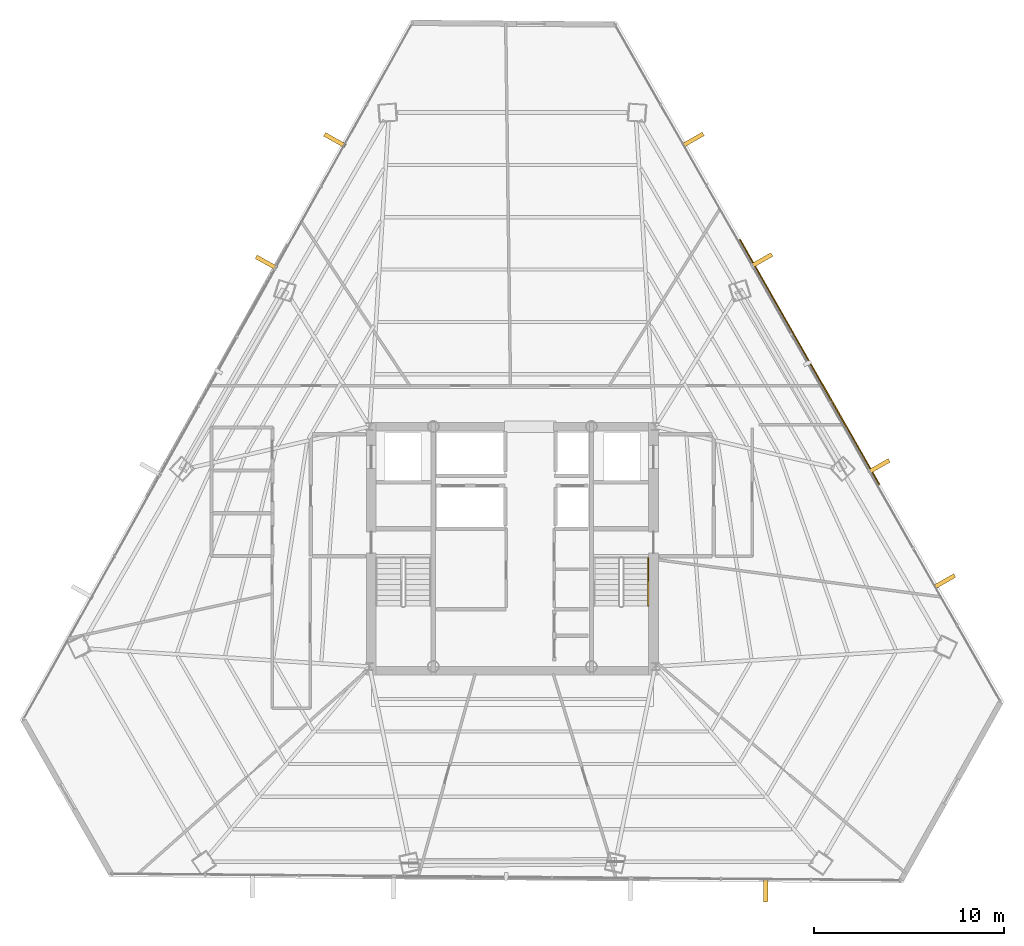
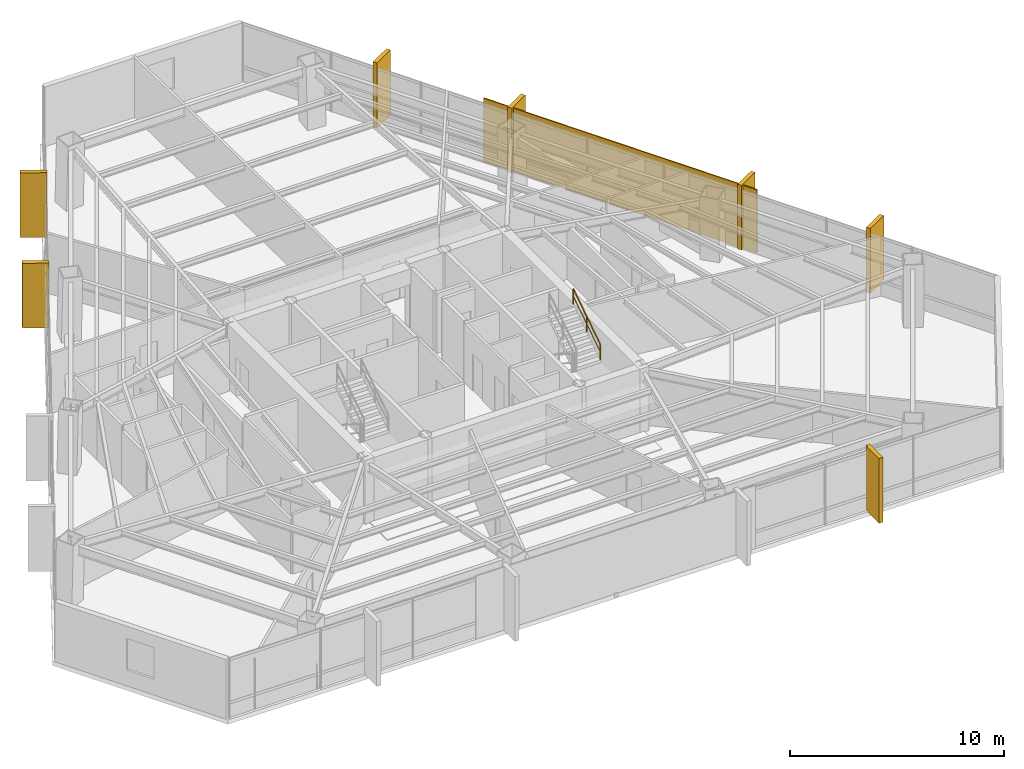
# One storey, part 39 of 39: 7 coverings, 1 railing, 1 shading device.
"""IFC4 building model written with IfcOpenShell, lengths in metres."""

from ifc_helpers import new_model, si_unit, direction, frame, origin, origin_2d, place, context, subcontext, project, spatial, rectangle, extrude, source, transform, mapped, material, layer, layer_set, type_object, type_shapes, element, save


model = new_model("IFC4")

# Units and contexts
model_context = context("Model", 3, precision=1e-05, world=origin(), true_north=direction((0.0, 1.0)))
body_context = subcontext(model_context, "Body", "Model", "MODEL_VIEW")
ifc_project = project(units=[si_unit("LENGTHUNIT", "METRE"), si_unit("AREAUNIT", "SQUARE_METRE"), si_unit("VOLUMEUNIT", "CUBIC_METRE"), si_unit("PLANEANGLEUNIT", "RADIAN"), si_unit("MASSUNIT", "GRAM", prefix="KILO")], contexts=[model_context])

# Site, building, storey
site_placement = place(None, origin())
site = spatial("IfcSite", under=ifc_project, at=site_placement, CompositionType="ELEMENT")
building_placement = place(site_placement, origin())
building = spatial("IfcBuilding", under=site, at=building_placement, Name="Caelisora Broadcast Tower", CompositionType="ELEMENT")
storey_placement = place(building_placement, frame((0.0, 0.0, 142.75)))
storey = spatial("IfcBuildingStorey", under=building, at=storey_placement, Name="L37", CompositionType="ELEMENT", Elevation=142.75)

# Railing
ifc_material_1 = material(Name="Stainless Steel Grade 316 Tubular Handrail", Category="steel")
ifc_layer_1 = layer(ifc_material_1, 0.048095703125, Name="Stainless Steel Grade 316 Tubular Handrail")
ifc_layer_set_1 = layer_set([ifc_layer_1], Name="Stainless Steel Grade 316 Tubular Handrail")
railing_type = type_object("IfcRailingType", Name="HR-1", PredefinedType="HANDRAIL", material=ifc_layer_set_1)
railing_placement = place(storey_placement, frame((45.1298828125, 20.580078125, 2.007568359375)))
element("IfcRailing", 1, at=railing_placement, inside=storey, type_object=railing_type, Name="L37 ST-2 stair handrail 2", PredefinedType="HANDRAIL", context=body_context, shape_type="SweptSolid", body=[
    extrude(rectangle(XDim=0.048095703125, YDim=0.048095703125, at=origin_2d()), frame((0.0, 0.0, 0.8759765625), z_axis=(0.0, 0.837786554691, 0.545997883492), x_axis=(-1.0, 0.0, 0.0)), (0.0, 0.0, 1.0), 3.008056640625),
    extrude(rectangle(XDim=0.03125, YDim=0.03125, at=origin_2d()), frame((0.0, 0.0, 0.449951171875), z_axis=(0.0, 0.837786554691, 0.545997883492), x_axis=(-1.0, 0.0, 0.0)), (0.0, 0.0, 1.0), 3.008056640625),
    extrude(rectangle(XDim=0.0419921875, YDim=0.0419921875, at=origin_2d()), origin(), (0.0, 0.0, 1.0), 0.851806640625),
    extrude(rectangle(XDim=0.0419921875, YDim=0.0419921875, at=origin_2d()), frame((0.0, 1.260009765625, 0.8212890625)), (0.0, 0.0, 1.0), 0.851806640625),
    extrude(rectangle(XDim=0.0419921875, YDim=0.0419921875, at=origin_2d()), frame((0.0, 2.52001953125, 1.642333984375)), (0.0, 0.0, 1.0), 0.851806640625),
])

# Coverings
ifc_material_2 = material(Name="Kiln-Fired Terracotta Spandrel Rainscreen Cladding", Category="ceramic")
ifc_layer_2 = layer(ifc_material_2, 0.044921875, Name="Kiln-Fired Terracotta Spandrel Rainscreen Cladding")
ifc_layer_set_2 = layer_set([ifc_layer_2], Name="Kiln-Fired Terracotta Spandrel Rainscreen Cladding")
covering_type = type_object("IfcCoveringType", Name="CL-1", PredefinedType="CLADDING", material=ifc_layer_set_2)
shared_shape_1 = source(origin(), body_context, "Body", "SweptSolid", [
    extrude(rectangle(XDim=0.219970703125, YDim=1.25, at=origin_2d()), origin(), (0.0, 0.0, 1.0), 3.68994140625),
])
type_shapes(covering_type, [shared_shape_1])
for number, where, z_axis, x_axis, name in (
    (2, (47.47900390625, 45.053955078125, -0.02001953125), (0.0, 0.0, 1.0), (0.494852128545, -0.868977198133, 0.0), "L37 vertical solar fin cladding #1-1"),
    (3, (51.084228515625, 38.723876953125, -0.02001953125), (0.0, 0.0, 1.0), (0.494852128545, -0.868977198133, 0.0), "L37 vertical solar fin cladding #1-2"),
    (4, (57.240234375, 27.915283203125, -0.02001953125), (0.0, 0.0, 1.0), (0.494852128545, -0.868977198133, 0.0), "L37 vertical solar fin cladding #1-3"),
    (5, (60.682861328125, 21.87060546875, -0.02001953125), (0.0, 0.0, 1.0), (0.494852128545, -0.868977198133, 0.0), "L37 vertical solar fin cladding #1-4"),
    (6, (51.302978515625, 5.67431640625, -0.02001953125), (0.0, 0.0, 1.0), (-0.999966355195, 0.008202955488, 0.0), "L37 vertical solar fin cladding #2-1"),
    (7, (25.0927734375, 38.6083984375, -0.02001953125), (0.0, 0.0, 1.0), (0.487707298065, 0.873007211547, 0.0), "L37 vertical solar fin cladding #3-3"),
    (8, (28.68505859375, 45.037109375, -0.02001953125), (0.0, 0.0, 1.0), (0.487707298065, 0.873007211547, 0.0), "L37 vertical solar fin cladding #3-4"),
):
    element("IfcCovering", number, at=place(storey_placement, frame(where, z_axis=z_axis, x_axis=x_axis)), inside=storey, type_object=covering_type, Name=name, PredefinedType="CLADDING", context=body_context, shape_type="MappedRepresentation", body=[
        mapped(shared_shape_1, transform((0.0, 0.0, 0.0), scale=1.0)),
    ])

# Shading device
ifc_material_3 = material(Name="Perforated Glazed Terracotta Baguette Solar Screen", Category="ceramic")
ifc_layer_3 = layer(ifc_material_3, 0.06494140625, Name="Perforated Glazed Terracotta Baguette Solar Screen")
ifc_layer_set_3 = layer_set([ifc_layer_3], Name="Perforated Glazed Terracotta Baguette Solar Screen")
shading_device_type = type_object("IfcShadingDeviceType", Name="SS-1", PredefinedType="USERDEFINED", material=ifc_layer_set_3)
shared_shape_2 = source(origin(), body_context, "Body", "SweptSolid", [
    extrude(rectangle(XDim=14.79296875, YDim=0.06494140625, at=origin_2d()), origin(), (0.0, 0.0, 1.0), 3.590087890625),
])
type_shapes(shading_device_type, [shared_shape_2])
shading_device_placement = place(storey_placement, frame((53.608154296875, 33.38330078125, 0.0), z_axis=(0.0, 0.0, 1.0), x_axis=(-0.494852128545, 0.868977198133, 0.0)))
element("IfcShadingDevice", 9, at=shading_device_placement, inside=storey, type_object=shading_device_type, Name="L37 perforated terracotta solar screen #3", ObjectType="SOLAR SCREEN", PredefinedType="USERDEFINED", context=body_context, shape_type="MappedRepresentation", body=[
    mapped(shared_shape_2, transform((0.0, 0.0, 0.0), scale=1.0)),
])

save(model, "model.ifc")
